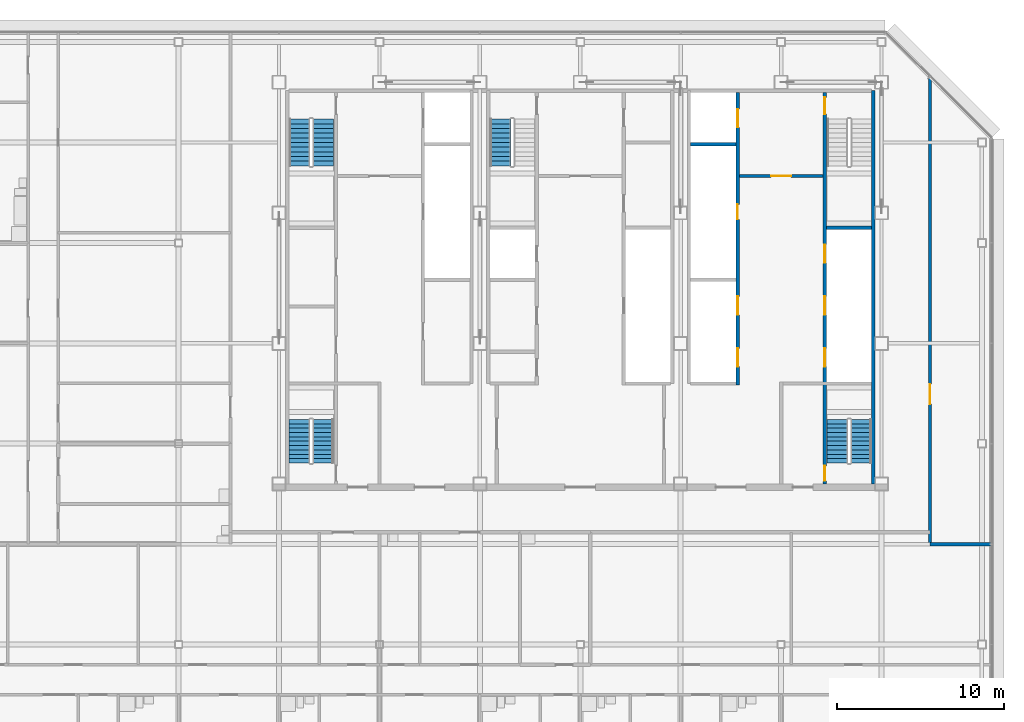
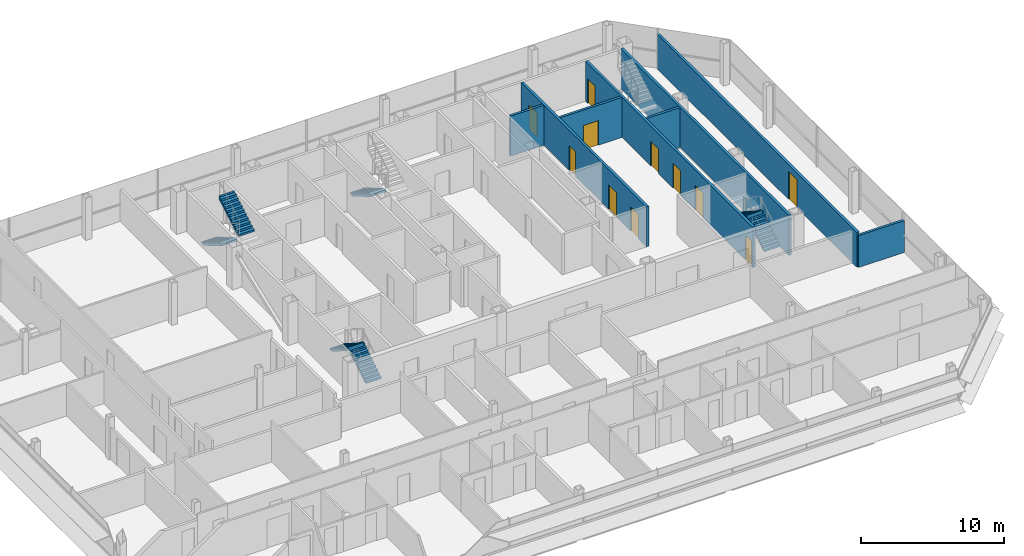
# One storey, part 25 of 28: 11 doors, 8 walls, 7 stair flights, 11 openings, 4 elements without a shape of their own.
"""IFC4 building model written with IfcOpenShell, lengths in metres."""

from ifc_helpers import new_model, si_unit, direction, frame, frame_2d, origin, place, context, subcontext, project, spatial, polyline, rectangle, outline, extrude, material, layer, layer_set, type_object, element, fill, aggregate, save


model = new_model("IFC4")

# Units and contexts
model_context = context("Model", 3, precision=1e-05, world=origin(), true_north=direction((0.0, 1.0)))
body_context = subcontext(model_context, "Body", "Model", "MODEL_VIEW")
ifc_project = project(units=[si_unit("LENGTHUNIT", "METRE"), si_unit("AREAUNIT", "SQUARE_METRE"), si_unit("VOLUMEUNIT", "CUBIC_METRE"), si_unit("PLANEANGLEUNIT", "RADIAN"), si_unit("MASSUNIT", "GRAM", prefix="KILO")], contexts=[model_context])

# Site, building, storey
site_placement = place(None, origin())
site = spatial("IfcSite", under=ifc_project, at=site_placement, CompositionType="ELEMENT")
building_placement = place(site_placement, origin())
building = spatial("IfcBuilding", under=site, at=building_placement, Name="Sorahane Residences", CompositionType="ELEMENT")
storey_placement = place(building_placement, frame((0.0, 0.0, 305.199951171875)))
storey = spatial("IfcBuildingStorey", under=building, at=storey_placement, Name="L72", CompositionType="ELEMENT", Elevation=305.199951171875)

# Wall
ifc_material_1 = material(Name="Concrete C30", Category="concrete")
ifc_layer_1 = layer(ifc_material_1, 0.199951171875)
ifc_layer_set_1 = layer_set([ifc_layer_1], Name="Core face wall 200 EI 180")
wall_type_1 = type_object("IfcWallType", Name="Core face wall 200 EI 180", PredefinedType="SOLIDWALL", material=ifc_layer_set_1)
wall_1_placement = place(storey_placement, frame((41.5, 21.60009765625, 0.0), z_axis=(0.0, 0.0, 1.0), x_axis=(0.0, 1.0, 0.0)))
element("IfcWall", 1, at=wall_1_placement, inside=storey, type_object=wall_type_1, Name="L72 core face wall", PredefinedType="SOLIDWALL", context=body_context, shape_type="SweptSolid", body=[
    extrude(rectangle(XDim=23.5, YDim=0.199951171875, at=frame_2d((11.75, 0.0))), origin(), (0.0, 0.0, 1.0), 3.420166015625),
])

# Wall, opening, door
ifc_material_2 = material(Name="Concrete blockwork C20 wall", Category="masonry")
ifc_layer_2 = layer(ifc_material_2, 0.199951171875)
ifc_layer_set_2 = layer_set([ifc_layer_2], Name="Corridor wall 200 EI 120")
wall_type_2 = type_object("IfcWallType", Name="Corridor wall 200 EI 120", PredefinedType="SOLIDWALL", material=ifc_layer_set_2)
wall_2_placement = place(storey_placement, frame((44.89990234375, 18.0, 0.0), z_axis=(0.0, 0.0, 1.0), x_axis=(0.0, 1.0, 0.0)))
wall_2 = element("IfcWall", 2, at=wall_2_placement, inside=storey, type_object=wall_type_2, Name="L72 corridor wall", PredefinedType="SOLIDWALL", context=body_context, shape_type="SweptSolid", body=[
    extrude(rectangle(XDim=27.948974609375, YDim=0.199951171875, at=frame_2d((13.974609375, 0.0))), origin(), (0.0, 0.0, 1.0), 2.969970703125),
])
opening_1_placement = place(wall_2_placement, frame((8.360107421875, 0.0, 0.0)))
opening_1 = element("IfcOpeningElement", 3, at=opening_1_placement, cuts=wall_2, Name="Opening L72-47", PredefinedType="OPENING", context=body_context, shape_type="SweptSolid", body=[
    extrude(rectangle(XDim=1.199951171875, YDim=2.39990234375, at=frame_2d((0.60009765625, 1.199951171875))), frame((0.0, 0.10986328125, 0.0), z_axis=(0.0, -1.0, 0.0), x_axis=(1.0, 0.0, 0.0)), (0.0, 0.0, 1.0), 0.219970703125),
])
ifc_material_3 = material(Name="Steel", Category="steel")
door_type_1 = type_object("IfcDoorType", Name="Lobby door 1200x2400 FD60", OperationType="NOTDEFINED", PredefinedType="DOOR", material=ifc_material_3)
door_1_placement = place(opening_1_placement, frame((1.199951171875, 0.0, 0.0), z_axis=(0.0, 0.0, 1.0), x_axis=(-1.0, 0.0, 0.0)))
door_1 = element("IfcDoor", 4, at=door_1_placement, inside=storey, type_object=door_type_1, Name="Lobby door L72-47", OperationType="SINGLE_SWING_RIGHT", OverallHeight=2.39990234375, OverallWidth=1.199951171875, PredefinedType="DOOR", context=body_context, shape_type="SweptSolid", body=[
    extrude(rectangle(XDim=1.199951171875, YDim=2.39990234375, at=frame_2d((0.60009765625, 1.199951171875))), frame((0.0, 0.02490234375, 0.0), z_axis=(0.0, -1.0, 0.0), x_axis=(1.0, 0.0, 0.0)), (0.0, 0.0, 1.0), 0.050048828125),
])
fill(opening_1, door_1)

# Wall
wall_3_placement = place(storey_placement, frame((44.89990234375, 18.0, 0.0), z_axis=(0.0, 0.0, 1.0), x_axis=(1.0, 0.0, 0.0)))
element("IfcWall", 5, at=wall_3_placement, inside=storey, type_object=wall_type_2, Name="L72 corridor wall", PredefinedType="SOLIDWALL", context=body_context, shape_type="SweptSolid", body=[
    extrude(rectangle(XDim=3.7001953125, YDim=0.199951171875, at=frame_2d((1.85009765625, 0.0))), origin(), (0.0, 0.0, 1.0), 2.719970703125),
])

# Wall, opening, door
ifc_material_4 = material(Name="Concrete C30", Category="concrete")
ifc_layer_3 = layer(ifc_material_4, 0.199951171875)
ifc_layer_set_3 = layer_set([ifc_layer_3], Name="Front room wall 200 EI 120")
wall_type_3 = type_object("IfcWallType", Name="Front room wall 200 EI 120", PredefinedType="PARTITIONING", material=ifc_layer_set_3)
wall_4_placement = place(storey_placement, frame((33.5, 40.0, 0.0), z_axis=(0.0, 0.0, 1.0), x_axis=(1.0, 0.0, 0.0)))
wall_4 = element("IfcWall", 6, at=wall_4_placement, inside=storey, type_object=wall_type_3, Name="L72 front room wall", PredefinedType="PARTITIONING", context=body_context, shape_type="SweptSolid", body=[
    extrude(rectangle(XDim=5.0, YDim=0.199951171875, at=frame_2d((2.5, 0.0))), origin(), (0.0, 0.0, 1.0), 3.420166015625),
])
opening_2_placement = place(wall_4_placement, frame((1.89990234375, 0.0, 0.0)))
opening_2 = element("IfcOpeningElement", 7, at=opening_2_placement, cuts=wall_4, Name="Opening L72-C10", PredefinedType="OPENING", context=body_context, shape_type="SweptSolid", body=[
    extrude(rectangle(XDim=1.199951171875, YDim=2.10009765625, at=frame_2d((0.60009765625, 1.050048828125))), frame((0.0, 0.10986328125, 0.0), z_axis=(0.0, -1.0, 0.0), x_axis=(1.0, 0.0, 0.0)), (0.0, 0.0, 1.0), 0.219970703125),
])
ifc_material_5 = material(Name="Steel", Category="steel")
door_type_2 = type_object("IfcDoorType", Name="Front room door 1200x2100 FD120", OperationType="NOTDEFINED", PredefinedType="DOOR", material=ifc_material_5)
door_2_placement = place(opening_2_placement, frame((1.199951171875, 0.0, 0.0), z_axis=(0.0, 0.0, 1.0), x_axis=(-1.0, 0.0, 0.0)))
door_2 = element("IfcDoor", 8, at=door_2_placement, inside=storey, type_object=door_type_2, Name="Front room door Firefighting lobby FF2 front room L72", OperationType="DOUBLE_DOOR_SINGLE_SWING", OverallHeight=2.10009765625, OverallWidth=1.199951171875, PredefinedType="DOOR", context=body_context, shape_type="SweptSolid", body=[
    extrude(rectangle(XDim=1.199951171875, YDim=2.10009765625, at=frame_2d((0.60009765625, 1.050048828125))), frame((0.0, 0.02490234375, 0.0), z_axis=(0.0, -1.0, 0.0), x_axis=(1.0, 0.0, 0.0)), (0.0, 0.0, 1.0), 0.050048828125),
])
fill(opening_2, door_2)

# Wall, openings, doors
ifc_material_6 = material(Name="Concrete C30", Category="concrete")
ifc_layer_4 = layer(ifc_material_6, 0.199951171875)
ifc_layer_set_4 = layer_set([ifc_layer_4], Name="Lift shaft wall 200 EI 120")
wall_type_4 = type_object("IfcWallType", Name="Lift shaft wall 200 EI 120", PredefinedType="SOLIDWALL", material=ifc_layer_set_4)
wall_5_placement = place(storey_placement, frame((33.39990234375, 27.5, 0.0), z_axis=(0.0, 0.0, 1.0), x_axis=(0.0, 1.0, 0.0)))
wall_5 = element("IfcWall", 9, at=wall_5_placement, inside=storey, type_object=wall_type_4, Name="L72 lift shaft wall", PredefinedType="SOLIDWALL", context=body_context, shape_type="SweptSolid", body=[
    extrude(rectangle(XDim=17.5, YDim=0.199951171875, at=frame_2d((8.75, 0.0))), origin(), (0.0, 0.0, 1.0), 3.420166015625),
])
opening_3_placement = place(wall_5_placement, frame((1.10009765625, 0.0, 0.0)))
opening_3 = element("IfcOpeningElement", 10, at=opening_3_placement, cuts=wall_5, Name="Opening L72-C14", PredefinedType="OPENING", context=body_context, shape_type="SweptSolid", body=[
    extrude(rectangle(XDim=1.10009765625, YDim=2.10009765625, at=frame_2d((0.550048828125, 1.050048828125))), frame((0.0, 0.10986328125, 0.0), z_axis=(0.0, -1.0, 0.0), x_axis=(1.0, 0.0, 0.0)), (0.0, 0.0, 1.0), 0.219970703125),
])
opening_4_placement = place(wall_5_placement, frame((4.199951171875, 0.0, 0.0)))
opening_4 = element("IfcOpeningElement", 11, at=opening_4_placement, cuts=wall_5, Name="Opening L72-C15", PredefinedType="OPENING", context=body_context, shape_type="SweptSolid", body=[
    extrude(rectangle(XDim=1.10009765625, YDim=2.10009765625, at=frame_2d((0.550048828125, 1.050048828125))), frame((0.0, 0.10986328125, 0.0), z_axis=(0.0, -1.0, 0.0), x_axis=(1.0, 0.0, 0.0)), (0.0, 0.0, 1.0), 0.219970703125),
])
opening_5_placement = place(wall_5_placement, frame((15.39990234375, 0.0, 0.0)))
opening_5 = element("IfcOpeningElement", 12, at=opening_5_placement, cuts=wall_5, Name="Opening L72-C16", PredefinedType="OPENING", context=body_context, shape_type="SweptSolid", body=[
    extrude(rectangle(XDim=1.10009765625, YDim=2.10009765625, at=frame_2d((0.550048828125, 1.050048828125))), frame((0.0, 0.10986328125, 0.0), z_axis=(0.0, -1.0, 0.0), x_axis=(1.0, 0.0, 0.0)), (0.0, 0.0, 1.0), 0.219970703125),
])
opening_6_placement = place(wall_5_placement, frame((9.89990234375, 0.0, 0.0)))
opening_6 = element("IfcOpeningElement", 13, at=opening_6_placement, cuts=wall_5, Name="Opening L72-C29", PredefinedType="OPENING", context=body_context, shape_type="SweptSolid", body=[
    extrude(rectangle(XDim=0.89990234375, YDim=2.10009765625, at=frame_2d((0.449951171875, 1.050048828125))), frame((0.0, 0.10986328125, 0.0), z_axis=(0.0, -1.0, 0.0), x_axis=(1.0, 0.0, 0.0)), (0.0, 0.0, 1.0), 0.219970703125),
])
ifc_material_7 = material(Name="Aluminium and stainless steel", Category="steel")
door_type_3 = type_object("IfcDoorType", Name="Lift landing door 1100x2100 E 60", OperationType="NOTDEFINED", PredefinedType="DOOR", material=ifc_material_7)
door_3_placement = place(opening_3_placement, origin())
door_3 = element("IfcDoor", 14, at=door_3_placement, inside=storey, type_object=door_type_3, Name="Lift landing door HR4 L72", OperationType="DOUBLE_DOOR_SLIDING", OverallHeight=2.10009765625, OverallWidth=1.10009765625, PredefinedType="DOOR", context=body_context, shape_type="SweptSolid", body=[
    extrude(rectangle(XDim=1.10009765625, YDim=2.10009765625, at=frame_2d((0.550048828125, 1.050048828125))), frame((0.0, 0.02490234375, 0.0), z_axis=(0.0, -1.0, 0.0), x_axis=(1.0, 0.0, 0.0)), (0.0, 0.0, 1.0), 0.050048828125),
])
fill(opening_3, door_3)
door_4_placement = place(opening_4_placement, origin())
door_4 = element("IfcDoor", 15, at=door_4_placement, inside=storey, type_object=door_type_3, Name="Lift landing door HR5 L72", OperationType="DOUBLE_DOOR_SLIDING", OverallHeight=2.10009765625, OverallWidth=1.10009765625, PredefinedType="DOOR", context=body_context, shape_type="SweptSolid", body=[
    extrude(rectangle(XDim=1.10009765625, YDim=2.10009765625, at=frame_2d((0.550048828125, 1.050048828125))), frame((0.0, 0.02490234375, 0.0), z_axis=(0.0, -1.0, 0.0), x_axis=(1.0, 0.0, 0.0)), (0.0, 0.0, 1.0), 0.050048828125),
])
fill(opening_4, door_4)
door_5_placement = place(opening_5_placement, origin())
door_5 = element("IfcDoor", 16, at=door_5_placement, inside=storey, type_object=door_type_3, Name="Lift landing door FF2 L72", OperationType="DOUBLE_DOOR_SLIDING", OverallHeight=2.10009765625, OverallWidth=1.10009765625, PredefinedType="DOOR", context=body_context, shape_type="SweptSolid", body=[
    extrude(rectangle(XDim=1.10009765625, YDim=2.10009765625, at=frame_2d((0.550048828125, 1.050048828125))), frame((0.0, 0.02490234375, 0.0), z_axis=(0.0, -1.0, 0.0), x_axis=(1.0, 0.0, 0.0)), (0.0, 0.0, 1.0), 0.050048828125),
])
fill(opening_5, door_5)
ifc_material_8 = material(Name="Steel", Category="steel")
door_type_4 = type_object("IfcDoorType", Name="Riser door 900x2100 FD120", OperationType="NOTDEFINED", PredefinedType="DOOR", material=ifc_material_8)
door_6_placement = place(opening_6_placement, frame((0.89990234375, 0.0, 0.0), z_axis=(0.0, 0.0, 1.0), x_axis=(-1.0, 0.0, 0.0)))
door_6 = element("IfcDoor", 17, at=door_6_placement, inside=storey, type_object=door_type_4, Name="Riser door R2 L72", OperationType="SINGLE_SWING_LEFT", OverallHeight=2.10009765625, OverallWidth=0.89990234375, PredefinedType="DOOR", context=body_context, shape_type="SweptSolid", body=[
    extrude(rectangle(XDim=0.89990234375, YDim=2.10009765625, at=frame_2d((0.449951171875, 1.050048828125))), frame((0.0, 0.02490234375, 0.0), z_axis=(0.0, -1.0, 0.0), x_axis=(1.0, 0.0, 0.0)), (0.0, 0.0, 1.0), 0.050048828125),
])
fill(opening_6, door_6)

# Wall
wall_6_placement = place(storey_placement, frame((30.60009765625, 41.89990234375, 0.0), z_axis=(0.0, 0.0, 1.0), x_axis=(1.0, 0.0, 0.0)))
element("IfcWall", 18, at=wall_6_placement, inside=storey, type_object=wall_type_4, Name="L72 lift shaft wall", PredefinedType="SOLIDWALL", context=body_context, shape_type="SweptSolid", body=[
    extrude(rectangle(XDim=2.699951171875, YDim=0.199951171875, at=frame_2d((1.35009765625, 0.0))), origin(), (0.0, 0.0, 1.0), 3.420166015625),
])

# Wall, openings, doors
ifc_material_9 = material(Name="Concrete C30", Category="concrete")
ifc_layer_5 = layer(ifc_material_9, 0.199951171875)
ifc_layer_set_5 = layer_set([ifc_layer_5], Name="Stair enclosure wall 200 EI 120")
wall_type_5 = type_object("IfcWallType", Name="Stair enclosure wall 200 EI 120", PredefinedType="SOLIDWALL", material=ifc_layer_set_5)
wall_7_placement = place(storey_placement, frame((38.60009765625, 21.60009765625, 0.0), z_axis=(0.0, 0.0, 1.0), x_axis=(0.0, 1.0, 0.0)))
wall_7 = element("IfcWall", 19, at=wall_7_placement, inside=storey, type_object=wall_type_5, Name="L72 stair enclosure wall", PredefinedType="SOLIDWALL", context=body_context, shape_type="SweptSolid", body=[
    extrude(rectangle(XDim=23.39990234375, YDim=0.199951171875, at=frame_2d((11.699951171875, 0.0))), origin(), (0.0, 0.0, 1.0), 3.420166015625),
])
opening_7_placement = place(wall_7_placement, frame((7.0, 0.0, 0.0)))
opening_7 = element("IfcOpeningElement", 20, at=opening_7_placement, cuts=wall_7, Name="Opening L72-C11", PredefinedType="OPENING", context=body_context, shape_type="SweptSolid", body=[
    extrude(rectangle(XDim=1.10009765625, YDim=2.10009765625, at=frame_2d((0.550048828125, 1.050048828125))), frame((0.0, 0.10986328125, 0.0), z_axis=(0.0, -1.0, 0.0), x_axis=(1.0, 0.0, 0.0)), (0.0, 0.0, 1.0), 0.219970703125),
])
opening_8_placement = place(wall_7_placement, frame((10.10009765625, 0.0, 0.0)))
opening_8 = element("IfcOpeningElement", 21, at=opening_8_placement, cuts=wall_7, Name="Opening L72-C12", PredefinedType="OPENING", context=body_context, shape_type="SweptSolid", body=[
    extrude(rectangle(XDim=1.10009765625, YDim=2.10009765625, at=frame_2d((0.550048828125, 1.050048828125))), frame((0.0, 0.10986328125, 0.0), z_axis=(0.0, -1.0, 0.0), x_axis=(1.0, 0.0, 0.0)), (0.0, 0.0, 1.0), 0.219970703125),
])
opening_9_placement = place(wall_7_placement, frame((13.199951171875, 0.0, 0.0)))
opening_9 = element("IfcOpeningElement", 22, at=opening_9_placement, cuts=wall_7, Name="Opening L72-C13", PredefinedType="OPENING", context=body_context, shape_type="SweptSolid", body=[
    extrude(rectangle(XDim=1.10009765625, YDim=2.10009765625, at=frame_2d((0.550048828125, 1.050048828125))), frame((0.0, 0.10986328125, 0.0), z_axis=(0.0, -1.0, 0.0), x_axis=(1.0, 0.0, 0.0)), (0.0, 0.0, 1.0), 0.219970703125),
])
opening_10_placement = place(wall_7_placement, frame((22.10009765625, 0.0, 0.0)))
opening_10 = element("IfcOpeningElement", 23, at=opening_10_placement, cuts=wall_7, Name="Opening L72-C24", PredefinedType="OPENING", context=body_context, shape_type="SweptSolid", body=[
    extrude(rectangle(XDim=1.0, YDim=2.10009765625, at=frame_2d((0.5, 1.050048828125))), frame((0.0, 0.10986328125, 0.0), z_axis=(0.0, -1.0, 0.0), x_axis=(1.0, 0.0, 0.0)), (0.0, 0.0, 1.0), 0.219970703125),
])
opening_11_placement = place(wall_7_placement, frame((0.175048828125, 0.0, 0.0)))
opening_11 = element("IfcOpeningElement", 24, at=opening_11_placement, cuts=wall_7, Name="Opening L72-C27", PredefinedType="OPENING", context=body_context, shape_type="SweptSolid", body=[
    extrude(rectangle(XDim=0.89990234375, YDim=2.10009765625, at=frame_2d((0.449951171875, 1.050048828125))), frame((0.0, 0.10986328125, 0.0), z_axis=(0.0, -1.0, 0.0), x_axis=(1.0, 0.0, 0.0)), (0.0, 0.0, 1.0), 0.219970703125),
])
door_7_placement = place(opening_7_placement, origin())
door_7 = element("IfcDoor", 25, at=door_7_placement, inside=storey, type_object=door_type_3, Name="Lift landing door HR1 L72", OperationType="DOUBLE_DOOR_SLIDING", OverallHeight=2.10009765625, OverallWidth=1.10009765625, PredefinedType="DOOR", context=body_context, shape_type="SweptSolid", body=[
    extrude(rectangle(XDim=1.10009765625, YDim=2.10009765625, at=frame_2d((0.550048828125, 1.050048828125))), frame((0.0, 0.02490234375, 0.0), z_axis=(0.0, -1.0, 0.0), x_axis=(1.0, 0.0, 0.0)), (0.0, 0.0, 1.0), 0.050048828125),
])
fill(opening_7, door_7)
door_8_placement = place(opening_8_placement, origin())
door_8 = element("IfcDoor", 26, at=door_8_placement, inside=storey, type_object=door_type_3, Name="Lift landing door HR2 L72", OperationType="DOUBLE_DOOR_SLIDING", OverallHeight=2.10009765625, OverallWidth=1.10009765625, PredefinedType="DOOR", context=body_context, shape_type="SweptSolid", body=[
    extrude(rectangle(XDim=1.10009765625, YDim=2.10009765625, at=frame_2d((0.550048828125, 1.050048828125))), frame((0.0, 0.02490234375, 0.0), z_axis=(0.0, -1.0, 0.0), x_axis=(1.0, 0.0, 0.0)), (0.0, 0.0, 1.0), 0.050048828125),
])
fill(opening_8, door_8)
door_9_placement = place(opening_9_placement, origin())
door_9 = element("IfcDoor", 27, at=door_9_placement, inside=storey, type_object=door_type_3, Name="Lift landing door HR3 L72", OperationType="DOUBLE_DOOR_SLIDING", OverallHeight=2.10009765625, OverallWidth=1.10009765625, PredefinedType="DOOR", context=body_context, shape_type="SweptSolid", body=[
    extrude(rectangle(XDim=1.10009765625, YDim=2.10009765625, at=frame_2d((0.550048828125, 1.050048828125))), frame((0.0, 0.02490234375, 0.0), z_axis=(0.0, -1.0, 0.0), x_axis=(1.0, 0.0, 0.0)), (0.0, 0.0, 1.0), 0.050048828125),
])
fill(opening_9, door_9)
ifc_material_10 = material(Name="Steel", Category="steel")
door_type_5 = type_object("IfcDoorType", Name="Stair door 1000x2100 FD120", OperationType="NOTDEFINED", PredefinedType="DOOR", material=ifc_material_10)
door_10_placement = place(opening_10_placement, frame((1.0, 0.0, 0.0), z_axis=(0.0, 0.0, 1.0), x_axis=(-1.0, 0.0, 0.0)))
door_10 = element("IfcDoor", 28, at=door_10_placement, inside=storey, type_object=door_type_5, Name="Stair door S2 L72", OperationType="SINGLE_SWING_LEFT", OverallHeight=2.10009765625, OverallWidth=1.0, PredefinedType="DOOR", context=body_context, shape_type="SweptSolid", body=[
    extrude(rectangle(XDim=1.0, YDim=2.10009765625, at=frame_2d((0.5, 1.050048828125))), frame((0.0, 0.02490234375, 0.0), z_axis=(0.0, -1.0, 0.0), x_axis=(1.0, 0.0, 0.0)), (0.0, 0.0, 1.0), 0.050048828125),
])
fill(opening_10, door_10)
ifc_material_11 = material(Name="Steel", Category="steel")
door_type_6 = type_object("IfcDoorType", Name="Stair door 900x2100 FD120", OperationType="NOTDEFINED", PredefinedType="DOOR", material=ifc_material_11)
door_11_placement = place(opening_11_placement, frame((0.89990234375, 0.0, 0.0), z_axis=(0.0, 0.0, 1.0), x_axis=(-1.0, 0.0, 0.0)))
door_11 = element("IfcDoor", 29, at=door_11_placement, inside=storey, type_object=door_type_6, Name="Stair door S5 L72", OperationType="SINGLE_SWING_LEFT", OverallHeight=2.10009765625, OverallWidth=0.89990234375, PredefinedType="DOOR", context=body_context, shape_type="SweptSolid", body=[
    extrude(rectangle(XDim=0.89990234375, YDim=2.10009765625, at=frame_2d((0.449951171875, 1.050048828125))), frame((0.0, 0.02490234375, 0.0), z_axis=(0.0, -1.0, 0.0), x_axis=(1.0, 0.0, 0.0)), (0.0, 0.0, 1.0), 0.050048828125),
])
fill(opening_11, door_11)

# Wall
wall_8_placement = place(storey_placement, frame((38.699951171875, 36.89990234375, 0.0), z_axis=(0.0, 0.0, 1.0), x_axis=(1.0, 0.0, 0.0)))
element("IfcWall", 30, at=wall_8_placement, inside=storey, type_object=wall_type_5, Name="L72 stair enclosure wall", PredefinedType="SOLIDWALL", context=body_context, shape_type="SweptSolid", body=[
    extrude(rectangle(XDim=2.699951171875, YDim=0.199951171875, at=frame_2d((1.35009765625, 0.0))), origin(), (0.0, 0.0, 1.0), 3.420166015625),
])

# Stair, stair flights
ifc_material_12 = material(Name="Concrete C40", Category="concrete")
stair_type = type_object("IfcStairType", Name="Dog-leg stair 1250 Concrete C40", PredefinedType="HALF_TURN_STAIR", material=ifc_material_12)
stair_1_placement = place(storey_placement, origin())
stair_1 = element("IfcStair", 31, at=stair_1_placement, inside=storey, type_object=stair_type, Name="L72 Stair S1", PredefinedType="HALF_TURN_STAIR")
ifc_material_13 = material(Name="Concrete C40", Category="concrete")
stair_flight_type = type_object("IfcStairFlightType", Name="Stair flight 1250 Concrete C40", PredefinedType="STRAIGHT", material=ifc_material_13)
stair_flight_1_placement = place(storey_placement, frame((7.22509765625, 43.39990234375, 0.0), z_axis=(0.0, 0.0, 1.0), x_axis=(0.0, -1.0, 0.0)))
stair_flight_1 = element("IfcStairFlight", 32, at=stair_flight_1_placement, type_object=stair_flight_type, Name="S1 flight 1", NumberOfRisers=11, NumberOfTreads=10, PredefinedType="STRAIGHT", RiserHeight=0.163636364, TreadLength=0.28, context=body_context, shape_type="SweptSolid", body=[
    extrude(outline(polyline([(-0.00146484375, 0.0), (-0.00146484375, 0.16357421875), (0.0, 0.16357421875), (0.280029296875, 0.16357421875), (0.280029296875, 0.327392578125), (0.56005859375, 0.327392578125), (0.56005859375, 0.490966796875), (0.840087890625, 0.490966796875), (0.840087890625, 0.654541015625), (1.1201171875, 0.654541015625), (1.1201171875, 0.818115234375), (1.39990234375, 0.818115234375), (1.39990234375, 0.98193359375), (1.679931640625, 0.98193359375), (1.679931640625, 1.1455078125), (1.9599609375, 1.1455078125), (1.9599609375, 1.30908203125), (2.239990234375, 1.30908203125), (2.239990234375, 1.47265625), (2.52001953125, 1.47265625), (2.52001953125, 1.636474609375), (2.800048828125, 1.636474609375), (2.800048828125, 1.800048828125), (2.800048828125, 1.462646484375), (2.59130859375, 1.3408203125), (2.3828125, 1.218994140625), (2.17431640625, 1.09716796875), (1.965576171875, 0.97509765625), (1.757080078125, 0.853271484375), (1.548583984375, 0.7314453125), (1.340087890625, 0.609375), (1.13134765625, 0.487548828125), (0.9228515625, 0.36572265625), (0.71435546875, 0.243896484375), (0.505615234375, 0.121826171875), (0.297119140625, 0.0), (-0.00146484375, 0.0)])), frame((0.0, 0.625, 0.0), z_axis=(0.0, -1.0, 0.0), x_axis=(1.0, 0.0, 0.0)), (0.0, 0.0, 1.0), 1.25),
])
stair_flight_2_placement = place(storey_placement, frame((8.625, 40.60009765625, 1.800048828125), z_axis=(0.0, 0.0, 1.0), x_axis=(0.0, 1.0, 0.0)))
stair_flight_2 = element("IfcStairFlight", 33, at=stair_flight_2_placement, type_object=stair_flight_type, Name="S1 flight 2", NumberOfRisers=11, NumberOfTreads=10, PredefinedType="STRAIGHT", RiserHeight=0.163636364, TreadLength=0.28, context=body_context, shape_type="SweptSolid", body=[
    extrude(outline(polyline([(0.0, 0.0), (0.0, 0.16357421875), (0.280029296875, 0.16357421875), (0.280029296875, 0.327392578125), (0.56005859375, 0.327392578125), (0.56005859375, 0.490966796875), (0.840087890625, 0.490966796875), (0.840087890625, 0.654541015625), (1.1201171875, 0.654541015625), (1.1201171875, 0.818115234375), (1.39990234375, 0.818115234375), (1.39990234375, 0.98193359375), (1.679931640625, 0.98193359375), (1.679931640625, 1.1455078125), (1.9599609375, 1.1455078125), (1.9599609375, 1.30908203125), (2.239990234375, 1.30908203125), (2.239990234375, 1.47265625), (2.52001953125, 1.47265625), (2.52001953125, 1.636474609375), (2.800048828125, 1.636474609375), (2.800048828125, 1.800048828125), (2.801513671875, 1.800048828125), (2.801513671875, 1.462646484375), (2.5927734375, 1.3408203125), (2.384033203125, 1.218994140625), (2.17529296875, 1.09716796875), (1.966796875, 0.97509765625), (1.758056640625, 0.853271484375), (1.54931640625, 0.7314453125), (1.340576171875, 0.609375), (1.1318359375, 0.487548828125), (0.923095703125, 0.36572265625), (0.714599609375, 0.243896484375), (0.505859375, 0.121826171875), (0.297119140625, 0.0), (0.0, 0.0)])), frame((0.0, 0.625, 0.0), z_axis=(0.0, -1.0, 0.0), x_axis=(1.0, 0.0, 0.0)), (0.0, 0.0, 1.0), 1.25),
])
aggregate(stair_1, [stair_flight_1, stair_flight_2])

# Stair, stair flight
stair_2_placement = place(storey_placement, origin())
stair_2 = element("IfcStair", 34, at=stair_2_placement, inside=storey, type_object=stair_type, Name="L72 Stair S3", PredefinedType="HALF_TURN_STAIR")
stair_flight_3_placement = place(storey_placement, frame((19.22509765625, 43.39990234375, 0.0), z_axis=(0.0, 0.0, 1.0), x_axis=(0.0, -1.0, 0.0)))
stair_flight_3 = element("IfcStairFlight", 35, at=stair_flight_3_placement, type_object=stair_flight_type, Name="S3 flight 1", NumberOfRisers=11, NumberOfTreads=10, PredefinedType="STRAIGHT", RiserHeight=0.163636364, TreadLength=0.28, context=body_context, shape_type="SweptSolid", body=[
    extrude(outline(polyline([(-0.00146484375, 0.0), (-0.00146484375, 0.16357421875), (0.0, 0.16357421875), (0.280029296875, 0.16357421875), (0.280029296875, 0.327392578125), (0.56005859375, 0.327392578125), (0.56005859375, 0.490966796875), (0.840087890625, 0.490966796875), (0.840087890625, 0.654541015625), (1.1201171875, 0.654541015625), (1.1201171875, 0.818115234375), (1.39990234375, 0.818115234375), (1.39990234375, 0.98193359375), (1.679931640625, 0.98193359375), (1.679931640625, 1.1455078125), (1.9599609375, 1.1455078125), (1.9599609375, 1.30908203125), (2.239990234375, 1.30908203125), (2.239990234375, 1.47265625), (2.52001953125, 1.47265625), (2.52001953125, 1.636474609375), (2.800048828125, 1.636474609375), (2.800048828125, 1.800048828125), (2.800048828125, 1.462646484375), (2.59130859375, 1.3408203125), (2.3828125, 1.218994140625), (2.17431640625, 1.09716796875), (1.965576171875, 0.97509765625), (1.757080078125, 0.853271484375), (1.548583984375, 0.7314453125), (1.340087890625, 0.609375), (1.13134765625, 0.487548828125), (0.9228515625, 0.36572265625), (0.71435546875, 0.243896484375), (0.505615234375, 0.121826171875), (0.297119140625, 0.0), (-0.00146484375, 0.0)])), frame((0.0, 0.625, 0.0), z_axis=(0.0, -1.0, 0.0), x_axis=(1.0, 0.0, 0.0)), (0.0, 0.0, 1.0), 1.25),
])
aggregate(stair_2, [stair_flight_3])

# Stair, stair flights
stair_3_placement = place(storey_placement, origin())
stair_3 = element("IfcStair", 36, at=stair_3_placement, inside=storey, type_object=stair_type, Name="L72 Stair S4", PredefinedType="HALF_TURN_STAIR")
stair_flight_4_placement = place(storey_placement, frame((8.625, 22.85009765625, 0.0), z_axis=(0.0, 0.0, 1.0), x_axis=(0.0, 1.0, 0.0)))
stair_flight_4 = element("IfcStairFlight", 37, at=stair_flight_4_placement, type_object=stair_flight_type, Name="S4 flight 1", NumberOfRisers=11, NumberOfTreads=10, PredefinedType="STRAIGHT", RiserHeight=0.163636364, TreadLength=0.26, context=body_context, shape_type="SweptSolid", body=[
    extrude(outline(polyline([(-0.00146484375, 0.0), (-0.00146484375, 0.16357421875), (0.0, 0.16357421875), (0.260009765625, 0.16357421875), (0.260009765625, 0.327392578125), (0.52001953125, 0.327392578125), (0.52001953125, 0.490966796875), (0.780029296875, 0.490966796875), (0.780029296875, 0.654541015625), (1.0400390625, 0.654541015625), (1.0400390625, 0.818115234375), (1.300048828125, 0.818115234375), (1.300048828125, 0.98193359375), (1.56005859375, 0.98193359375), (1.56005859375, 1.1455078125), (1.820068359375, 1.1455078125), (1.820068359375, 1.30908203125), (2.080078125, 1.30908203125), (2.080078125, 1.47265625), (2.340087890625, 1.47265625), (2.340087890625, 1.636474609375), (2.60009765625, 1.636474609375), (2.60009765625, 1.800048828125), (2.60009765625, 1.494384765625), (2.402099609375, 1.369873046875), (2.204345703125, 1.245361328125), (2.00634765625, 1.120849609375), (1.80859375, 0.996337890625), (1.610595703125, 0.871826171875), (1.412841796875, 0.747314453125), (1.21484375, 0.622802734375), (1.01708984375, 0.498046875), (0.819091796875, 0.37353515625), (0.621337890625, 0.2490234375), (0.42333984375, 0.12451171875), (0.2255859375, 0.0), (-0.00146484375, 0.0)])), frame((0.0, 0.625, 0.0), z_axis=(0.0, -1.0, 0.0), x_axis=(1.0, 0.0, 0.0)), (0.0, 0.0, 1.0), 1.25),
])
stair_flight_5_placement = place(storey_placement, frame((7.22509765625, 25.449951171875, 1.800048828125), z_axis=(0.0, 0.0, 1.0), x_axis=(0.0, -1.0, 0.0)))
stair_flight_5 = element("IfcStairFlight", 38, at=stair_flight_5_placement, type_object=stair_flight_type, Name="S4 flight 2", NumberOfRisers=11, NumberOfTreads=10, PredefinedType="STRAIGHT", RiserHeight=0.163636364, TreadLength=0.26, context=body_context, shape_type="SweptSolid", body=[
    extrude(outline(polyline([(0.0, 0.0), (0.0, 0.16357421875), (0.260009765625, 0.16357421875), (0.260009765625, 0.327392578125), (0.52001953125, 0.327392578125), (0.52001953125, 0.490966796875), (0.780029296875, 0.490966796875), (0.780029296875, 0.654541015625), (1.0400390625, 0.654541015625), (1.0400390625, 0.818115234375), (1.300048828125, 0.818115234375), (1.300048828125, 0.98193359375), (1.56005859375, 0.98193359375), (1.56005859375, 1.1455078125), (1.820068359375, 1.1455078125), (1.820068359375, 1.30908203125), (2.080078125, 1.30908203125), (2.080078125, 1.47265625), (2.340087890625, 1.47265625), (2.340087890625, 1.636474609375), (2.60009765625, 1.636474609375), (2.60009765625, 1.800048828125), (2.6015625, 1.800048828125), (2.6015625, 1.494384765625), (2.403564453125, 1.369873046875), (2.20556640625, 1.245361328125), (2.007568359375, 1.120849609375), (1.8095703125, 0.996337890625), (1.611572265625, 0.871826171875), (1.41357421875, 0.747314453125), (1.215576171875, 0.622802734375), (1.017578125, 0.498046875), (0.819580078125, 0.37353515625), (0.62158203125, 0.2490234375), (0.423583984375, 0.12451171875), (0.2255859375, 0.0), (0.0, 0.0)])), frame((0.0, 0.625, 0.0), z_axis=(0.0, -1.0, 0.0), x_axis=(1.0, 0.0, 0.0)), (0.0, 0.0, 1.0), 1.25),
])
aggregate(stair_3, [stair_flight_4, stair_flight_5])

stair_4_placement = place(storey_placement, origin())
stair_4 = element("IfcStair", 39, at=stair_4_placement, inside=storey, type_object=stair_type, Name="L72 Stair S5", PredefinedType="HALF_TURN_STAIR")
stair_flight_6_placement = place(storey_placement, frame((40.77490234375, 22.85009765625, 0.0), z_axis=(0.0, 0.0, 1.0), x_axis=(0.0, 1.0, 0.0)))
stair_flight_6 = element("IfcStairFlight", 40, at=stair_flight_6_placement, type_object=stair_flight_type, Name="S5 flight 1", NumberOfRisers=11, NumberOfTreads=10, PredefinedType="STRAIGHT", RiserHeight=0.163636364, TreadLength=0.26, context=body_context, shape_type="SweptSolid", body=[
    extrude(outline(polyline([(-0.00146484375, 0.0), (-0.00146484375, 0.16357421875), (0.0, 0.16357421875), (0.260009765625, 0.16357421875), (0.260009765625, 0.327392578125), (0.52001953125, 0.327392578125), (0.52001953125, 0.490966796875), (0.780029296875, 0.490966796875), (0.780029296875, 0.654541015625), (1.0400390625, 0.654541015625), (1.0400390625, 0.818115234375), (1.300048828125, 0.818115234375), (1.300048828125, 0.98193359375), (1.56005859375, 0.98193359375), (1.56005859375, 1.1455078125), (1.820068359375, 1.1455078125), (1.820068359375, 1.30908203125), (2.080078125, 1.30908203125), (2.080078125, 1.47265625), (2.340087890625, 1.47265625), (2.340087890625, 1.636474609375), (2.60009765625, 1.636474609375), (2.60009765625, 1.800048828125), (2.60009765625, 1.494384765625), (2.402099609375, 1.369873046875), (2.204345703125, 1.245361328125), (2.00634765625, 1.120849609375), (1.80859375, 0.996337890625), (1.610595703125, 0.871826171875), (1.412841796875, 0.747314453125), (1.21484375, 0.622802734375), (1.01708984375, 0.498046875), (0.819091796875, 0.37353515625), (0.621337890625, 0.2490234375), (0.42333984375, 0.12451171875), (0.2255859375, 0.0), (-0.00146484375, 0.0)])), frame((0.0, 0.625, 0.0), z_axis=(0.0, -1.0, 0.0), x_axis=(1.0, 0.0, 0.0)), (0.0, 0.0, 1.0), 1.25),
])
stair_flight_7_placement = place(storey_placement, frame((39.375, 25.449951171875, 1.800048828125), z_axis=(0.0, 0.0, 1.0), x_axis=(0.0, -1.0, 0.0)))
stair_flight_7 = element("IfcStairFlight", 41, at=stair_flight_7_placement, type_object=stair_flight_type, Name="S5 flight 2", NumberOfRisers=11, NumberOfTreads=10, PredefinedType="STRAIGHT", RiserHeight=0.163636364, TreadLength=0.26, context=body_context, shape_type="SweptSolid", body=[
    extrude(outline(polyline([(0.0, 0.0), (0.0, 0.16357421875), (0.260009765625, 0.16357421875), (0.260009765625, 0.327392578125), (0.52001953125, 0.327392578125), (0.52001953125, 0.490966796875), (0.780029296875, 0.490966796875), (0.780029296875, 0.654541015625), (1.0400390625, 0.654541015625), (1.0400390625, 0.818115234375), (1.300048828125, 0.818115234375), (1.300048828125, 0.98193359375), (1.56005859375, 0.98193359375), (1.56005859375, 1.1455078125), (1.820068359375, 1.1455078125), (1.820068359375, 1.30908203125), (2.080078125, 1.30908203125), (2.080078125, 1.47265625), (2.340087890625, 1.47265625), (2.340087890625, 1.636474609375), (2.60009765625, 1.636474609375), (2.60009765625, 1.800048828125), (2.6015625, 1.800048828125), (2.6015625, 1.494384765625), (2.403564453125, 1.369873046875), (2.20556640625, 1.245361328125), (2.007568359375, 1.120849609375), (1.8095703125, 0.996337890625), (1.611572265625, 0.871826171875), (1.41357421875, 0.747314453125), (1.215576171875, 0.622802734375), (1.017578125, 0.498046875), (0.819580078125, 0.37353515625), (0.62158203125, 0.2490234375), (0.423583984375, 0.12451171875), (0.2255859375, 0.0), (0.0, 0.0)])), frame((0.0, 0.625, 0.0), z_axis=(0.0, -1.0, 0.0), x_axis=(1.0, 0.0, 0.0)), (0.0, 0.0, 1.0), 1.25),
])
aggregate(stair_4, [stair_flight_6, stair_flight_7])

save(model, "model.ifc")
